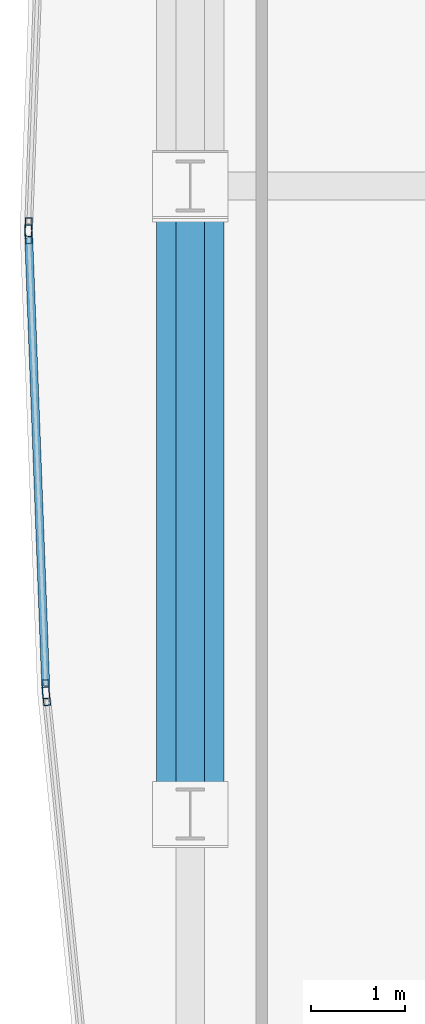
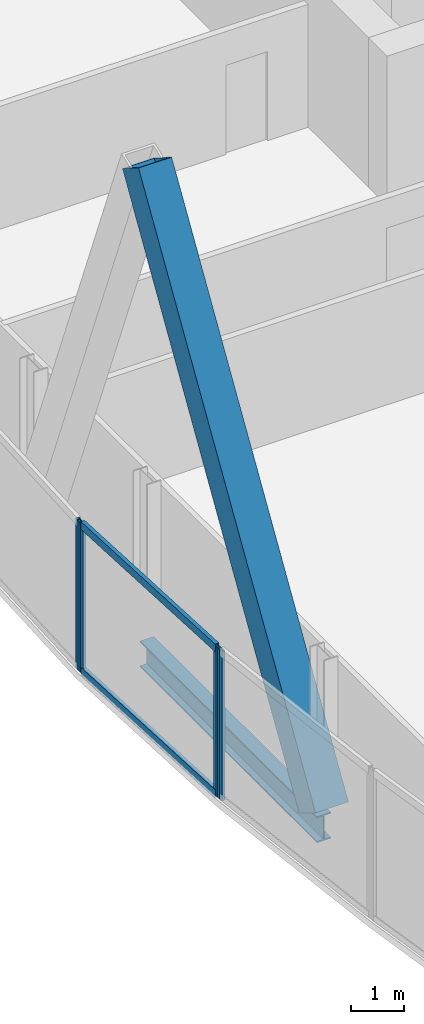
# One storey, part 10 of 30: 7 members, 1 beam, 3 elements without a shape of their own.
"""IFC4 building model written with IfcOpenShell, lengths in metres."""

from ifc_helpers import new_model, si_unit, direction, frame, origin, origin_2d, place, context, subcontext, project, spatial, hollow_rectangle, i_section, extrude, material, material_profile, profile_set, type_object, element, aggregate, save


model = new_model("IFC4")

# Units and contexts
model_context = context("Model", 3, precision=1e-05, world=origin(), true_north=direction((0.0, 1.0)))
body_context = subcontext(model_context, "Body", "Model", "MODEL_VIEW")
ifc_project = project(units=[si_unit("LENGTHUNIT", "METRE"), si_unit("AREAUNIT", "SQUARE_METRE"), si_unit("VOLUMEUNIT", "CUBIC_METRE"), si_unit("PLANEANGLEUNIT", "RADIAN"), si_unit("MASSUNIT", "GRAM", prefix="KILO")], contexts=[model_context])

# Site, building, storey
site_placement = place(None, origin())
site = spatial("IfcSite", under=ifc_project, at=site_placement, CompositionType="ELEMENT")
building_placement = place(site_placement, origin())
building = spatial("IfcBuilding", under=site, at=building_placement, Name="Khoronbel Lancet Exchange", CompositionType="ELEMENT")
storey_placement = place(building_placement, frame((0.0, 0.0, 147.0)))
storey = spatial("IfcBuildingStorey", under=building, at=storey_placement, Name="L36", CompositionType="ELEMENT", Elevation=147.0)

# Beam
ifc_material_1 = material(Name="Steel S355", Category="steel")
ifc_material_profile_1 = material_profile(ifc_material_1, i_section(OverallWidth=0.300048828125, OverallDepth=0.60009765625, WebThickness=0.015380859375, FlangeThickness=0.030029296875, at=origin_2d()), Name="HEB 600")
ifc_profile_set_1 = profile_set([ifc_material_profile_1], Name="Steel S355")
beam_type = type_object("IfcBeamType", Name="BM-BSP2", PredefinedType="SPANDREL", material=ifc_profile_set_1)
beam_placement = place(storey_placement, frame((5.27001953125, 31.425048828125, -0.4599609375), z_axis=(0.0, -1.0, 0.0), x_axis=(1.0, 0.0, 0.0)))
element("IfcBeam", 1, at=beam_placement, inside=storey, type_object=beam_type, Name="Level L36 perimeter spandrel beam SP19", PredefinedType="SPANDREL", context=body_context, shape_type="SweptSolid", body=[
    extrude(i_section(OverallWidth=0.300048828125, OverallDepth=0.60009765625, WebThickness=0.015380859375, FlangeThickness=0.030029296875, at=origin_2d()), origin(), (0.0, 0.0, 1.0), 6.675048828125),
])

# Curtain wall, member
ifc_material_2 = material(Name="Low-E Solar Control Insulating Glass", Category="glass")
curtain_wall_type = type_object("IfcCurtainWallType", Name="CW-4", PredefinedType="NOTDEFINED", material=ifc_material_2)
curtain_wall_1_placement = place(storey_placement, origin())
curtain_wall_1 = element("IfcCurtainWall", 2, at=curtain_wall_1_placement, inside=storey, type_object=curtain_wall_type, Name="Unitised curtain wall CW-L36-E05", PredefinedType="NOTDEFINED")
ifc_material_3 = material(Name="Bronze-Anodised Aluminium 6063-T6", Category="aluminium")
ifc_material_profile_2 = material_profile(ifc_material_3, hollow_rectangle(XDim=0.074951171875, YDim=0.199951171875, WallThickness=0.0048828125, at=origin_2d()), Name="ALU MULLION 75x200")
ifc_profile_set_2 = profile_set([ifc_material_profile_2], Name="Bronze-Anodised Aluminium 6063-T6")
member_type_1 = type_object("IfcMemberType", Name="MEM-CWM2", PredefinedType="MULLION", material=ifc_profile_set_2)
member_1_placement = place(storey_placement, frame((3.739990234375, 26.002197265625, 0.0), z_axis=(0.0, 0.0, 1.0), x_axis=(-0.994688434151, -0.10293162277, 0.0)))
member_1 = element("IfcMember", 3, at=member_1_placement, type_object=member_type_1, Name="CW4 mullion 2", PredefinedType="MULLION", context=body_context, shape_type="SweptSolid", body=[
    extrude(hollow_rectangle(XDim=0.074951171875, YDim=0.199951171875, WallThickness=0.0048828125, at=origin_2d()), origin(), (0.0, 0.0, 1.0), 3.43994140625),
])
aggregate(curtain_wall_1, [member_1])

# Curtain wall, members
curtain_wall_2_placement = place(storey_placement, origin())
curtain_wall_2 = element("IfcCurtainWall", 4, at=curtain_wall_2_placement, inside=storey, type_object=curtain_wall_type, Name="Unitised curtain wall CW-L36-E06", PredefinedType="NOTDEFINED")
member_2_placement = place(storey_placement, frame((3.734619140625, 26.0771484375, 0.0), z_axis=(0.0, 0.0, 1.0), x_axis=(-0.999284139325, -0.037831321592, 0.0)))
member_2 = element("IfcMember", 5, at=member_2_placement, type_object=member_type_1, Name="CW4 mullion 1", PredefinedType="MULLION", context=body_context, shape_type="SweptSolid", body=[
    extrude(hollow_rectangle(XDim=0.074951171875, YDim=0.199951171875, WallThickness=0.0048828125, at=origin_2d()), origin(), (0.0, 0.0, 1.0), 3.43994140625),
])
member_3_placement = place(storey_placement, frame((3.551513671875, 30.91259765625, 0.0), z_axis=(0.0, 0.0, 1.0), x_axis=(-0.999284139325, -0.037831321592, 0.0)))
member_3 = element("IfcMember", 6, at=member_3_placement, type_object=member_type_1, Name="CW4 mullion 2", PredefinedType="MULLION", context=body_context, shape_type="SweptSolid", body=[
    extrude(hollow_rectangle(XDim=0.074951171875, YDim=0.199951171875, WallThickness=0.0048828125, at=origin_2d()), origin(), (0.0, 0.0, 1.0), 3.43994140625),
])

# Curtain wall, member
curtain_wall_3_placement = place(storey_placement, origin())
curtain_wall_3 = element("IfcCurtainWall", 7, at=curtain_wall_3_placement, inside=storey, type_object=curtain_wall_type, Name="Unitised curtain wall CW-L36-E07", PredefinedType="NOTDEFINED")
member_4_placement = place(storey_placement, frame((3.551513671875, 30.987548828125, 0.0), z_axis=(0.0, 0.0, 1.0), x_axis=(-0.999284139325, 0.037831321592, 0.0)))
member_4 = element("IfcMember", 8, at=member_4_placement, type_object=member_type_1, Name="CW4 mullion 1", PredefinedType="MULLION", context=body_context, shape_type="SweptSolid", body=[
    extrude(hollow_rectangle(XDim=0.074951171875, YDim=0.199951171875, WallThickness=0.0048828125, at=origin_2d()), origin(), (0.0, 0.0, 1.0), 3.43994140625),
])
aggregate(curtain_wall_3, [member_4])

# Member
ifc_material_profile_3 = material_profile(ifc_material_3, hollow_rectangle(XDim=0.0849609375, YDim=0.179931640625, WallThickness=0.0048828125, at=origin_2d()), Name="ALU TRANSOM 85x180")
ifc_profile_set_3 = profile_set([ifc_material_profile_3], Name="Bronze-Anodised Aluminium 6063-T6")
member_type_2 = type_object("IfcMemberType", Name="MEM-CWT1", PredefinedType="USERDEFINED", material=ifc_profile_set_3)
member_5_placement = place(storey_placement, frame((3.733154296875, 26.114501953125, 0.04248046875), z_axis=(-0.037821015577, 0.999284529441, 0.0), x_axis=(-0.999284529441, -0.037821015577, 0.0)))
member_5 = element("IfcMember", 9, at=member_5_placement, type_object=member_type_2, Name="CW4 transom 1.1", ObjectType="TRANSOM", PredefinedType="USERDEFINED", context=body_context, shape_type="SweptSolid", body=[
    extrude(hollow_rectangle(XDim=0.0849609375, YDim=0.179931640625, WallThickness=0.0048828125, at=origin_2d()), origin(), (0.0, 0.0, 1.0), 4.763916015625),
])

member_6_placement = place(storey_placement, frame((3.733154296875, 26.114501953125, 3.3974609375), z_axis=(-0.037821015577, 0.999284529441, 0.0), x_axis=(-0.999284529441, -0.037821015577, 0.0)))
member_6 = element("IfcMember", 10, at=member_6_placement, type_object=member_type_2, Name="CW4 transom 1.2", ObjectType="TRANSOM", PredefinedType="USERDEFINED", context=body_context, shape_type="SweptSolid", body=[
    extrude(hollow_rectangle(XDim=0.0849609375, YDim=0.179931640625, WallThickness=0.0048828125, at=origin_2d()), origin(), (0.0, 0.0, 1.0), 4.763916015625),
])

aggregate(curtain_wall_2, [member_2, member_3, member_5, member_6])

ifc_material_4 = material(Name="Steel S460", Category="steel")
ifc_material_profile_4 = material_profile(ifc_material_4, hollow_rectangle(XDim=0.719970703125, YDim=0.719970703125, WallThickness=0.050048828125, at=origin_2d()), Name="BOX 720x720x50")
ifc_profile_set_4 = profile_set([ifc_material_profile_4], Name="Steel S460")
member_type_3 = type_object("IfcMemberType", Name="MEM-MB2", PredefinedType="BRACE", material=ifc_profile_set_4)
member_7_placement = place(storey_placement, frame((5.27001953125, 24.75, 0.0), z_axis=(0.0, 0.525745449971, 0.850641946906), x_axis=(-1.0, 0.0, 0.0)))
element("IfcMember", 11, at=member_7_placement, inside=storey, type_object=member_type_3, Name="Perimeter lancet brace tier 12 W-P-L", PredefinedType="BRACE", context=body_context, shape_type="SweptSolid", body=[
    extrude(hollow_rectangle(XDim=0.719970703125, YDim=0.719970703125, WallThickness=0.050048828125, at=origin_2d()), origin(), (0.0, 0.0, 1.0), 12.6962890625),
])

save(model, "model.ifc")
